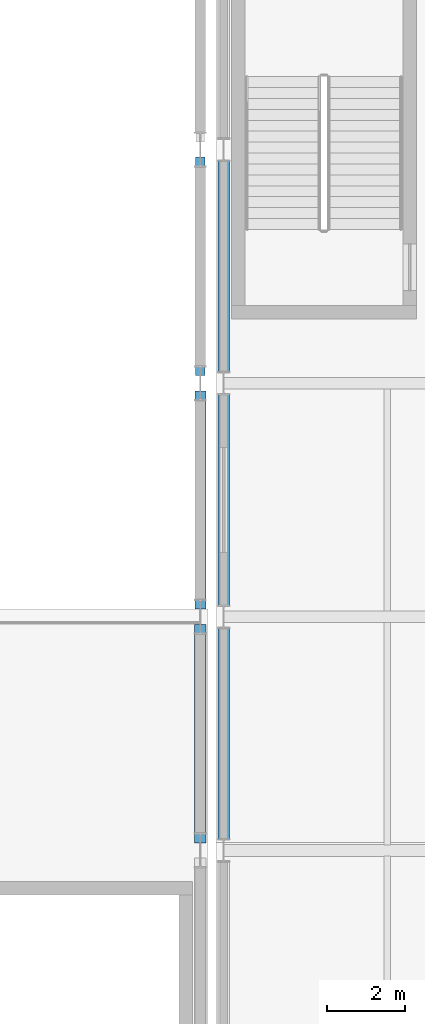
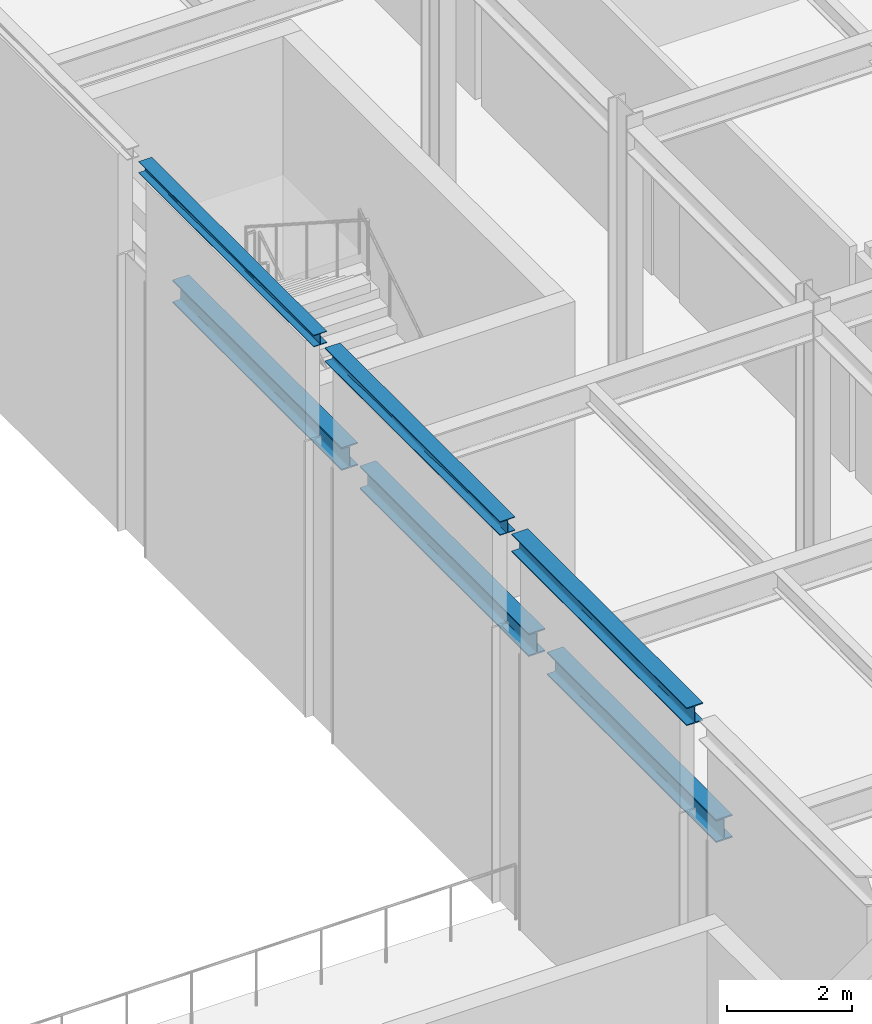
# One storey, part 74 of 210: 6 beams.
"""IFC4 building model written with IfcOpenShell, lengths in metres."""

from ifc_helpers import new_model, si_unit, direction, frame, origin, origin_2d, place, context, subcontext, project, spatial, i_section, extrude, material, material_profile, profile_set, type_object, element, save


model = new_model("IFC4")

# Units and contexts
model_context = context("Model", 3, precision=1e-05, world=origin(), true_north=direction((0.0, 1.0)))
body_context = subcontext(model_context, "Body", "Model", "MODEL_VIEW")
ifc_project = project(units=[si_unit("LENGTHUNIT", "METRE"), si_unit("AREAUNIT", "SQUARE_METRE"), si_unit("VOLUMEUNIT", "CUBIC_METRE"), si_unit("PLANEANGLEUNIT", "RADIAN"), si_unit("MASSUNIT", "GRAM", prefix="KILO")], contexts=[model_context])

# Site, building, storey
site_placement = place(None, origin())
site = spatial("IfcSite", under=ifc_project, at=site_placement, CompositionType="ELEMENT")
building_placement = place(site_placement, origin())
building = spatial("IfcBuilding", under=site, at=building_placement, Name="Kaldris Quays Convention Centre", CompositionType="ELEMENT")
storey_placement = place(building_placement, frame((0.0, 0.0, 6.0)))
storey = spatial("IfcBuildingStorey", under=building, at=storey_placement, Name="L01", CompositionType="ELEMENT", Elevation=6.0)

# Beams
ifc_material = material(Name="Steel S355J2", Category="steel")
ifc_material_profile_1 = material_profile(ifc_material, i_section(OverallWidth=0.300048828125, OverallDepth=0.449951171875, WebThickness=0.013916015625, FlangeThickness=0.02587890625, FilletRadius=0.027099609375, at=origin_2d()), Name="HEB 450")
ifc_profile_set_1 = profile_set([ifc_material_profile_1], Name="Steel S355J2")
beam_type_1 = type_object("IfcBeamType", Name="STRUCTURAL BEAM BM07", PredefinedType="BEAM", material=ifc_profile_set_1)
for number, where, z_axis, x_axis, name in (
    (1, (146.60009765625, 62.2939453125, 4.91796875), (0.0, 1.0, 0.0), (-1.0, 0.0, 0.0), "L01 Girder BM07 69"),
    (2, (146.60009765625, 68.2939453125, 4.91796875), (0.0, 1.0, 0.0), (-1.0, 0.0, 0.0), "L01 Girder BM07 70"),
    (3, (146.60009765625, 74.2939453125, 4.91796875), (0.0, 1.0, 0.0), (-1.0, 0.0, 0.0), "L01 Girder BM07 71"),
):
    element("IfcBeam", number, at=place(storey_placement, frame(where, z_axis=z_axis, x_axis=x_axis)), inside=storey, type_object=beam_type_1, Name=name, PredefinedType="BEAM", context=body_context, shape_type="SweptSolid", body=[
        extrude(i_section(OverallWidth=0.300048828125, OverallDepth=0.449951171875, WebThickness=0.013916015625, FlangeThickness=0.02587890625, FilletRadius=0.027099609375, at=origin_2d()), origin(), (0.0, 0.0, 1.0), 5.412109375),
    ])
ifc_material_profile_2 = material_profile(ifc_material, i_section(OverallWidth=0.300048828125, OverallDepth=0.35009765625, WebThickness=0.010009765625, FlangeThickness=0.017578125, FilletRadius=0.027099609375, at=origin_2d()), Name="HEA 360")
ifc_profile_set_2 = profile_set([ifc_material_profile_2], Name="Steel S355J2")
beam_type_2 = type_object("IfcBeamType", Name="STRUCTURAL BEAM SP02", PredefinedType="SPANDREL", material=ifc_profile_set_2)
beam_1_placement = place(storey_placement, frame((146.0, 62.195068359375, 7.425048828125), z_axis=(0.0, 1.0, 0.0), x_axis=(-1.0, 0.0, 0.0)))
element("IfcBeam", 4, at=beam_1_placement, inside=storey, type_object=beam_type_2, Name="L01 Perimeter Wall-Bearing Spandrel SP02 56", PredefinedType="SPANDREL", context=body_context, shape_type="SweptSolid", body=[
    extrude(i_section(OverallWidth=0.300048828125, OverallDepth=0.35009765625, WebThickness=0.010009765625, FlangeThickness=0.017578125, FilletRadius=0.027099609375, at=origin_2d()), origin(), (0.0, 0.0, 1.0), 5.60986328125),
])
ifc_material_profile_3 = material_profile(ifc_material, i_section(OverallWidth=0.280029296875, OverallDepth=0.27001953125, WebThickness=0.008056640625, FlangeThickness=0.012939453125, FilletRadius=0.02392578125, at=origin_2d()), Name="HEA 280")
ifc_profile_set_3 = profile_set([ifc_material_profile_3], Name="Steel S355J2")
beam_type_3 = type_object("IfcBeamType", Name="STRUCTURAL BEAM SP03", PredefinedType="SPANDREL", material=ifc_profile_set_3)
beam_2_placement = place(storey_placement, frame((146.0, 68.195068359375, 7.465087890625), z_axis=(0.0, 1.0, 0.0), x_axis=(-1.0, 0.0, 0.0)))
element("IfcBeam", 5, at=beam_2_placement, inside=storey, type_object=beam_type_3, Name="L01 Perimeter Wall-Bearing Spandrel SP03 57", PredefinedType="SPANDREL", context=body_context, shape_type="SweptSolid", body=[
    extrude(i_section(OverallWidth=0.280029296875, OverallDepth=0.27001953125, WebThickness=0.008056640625, FlangeThickness=0.012939453125, FilletRadius=0.02392578125, at=origin_2d()), origin(), (0.0, 0.0, 1.0), 5.60986328125),
])
ifc_material_profile_4 = material_profile(ifc_material, i_section(OverallWidth=0.239990234375, OverallDepth=0.22998046875, WebThickness=0.007568359375, FlangeThickness=0.011962890625, FilletRadius=0.02099609375, at=origin_2d()), Name="HEA 240")
ifc_profile_set_4 = profile_set([ifc_material_profile_4], Name="Steel S355J2")
beam_type_4 = type_object("IfcBeamType", Name="STRUCTURAL BEAM SP04", PredefinedType="SPANDREL", material=ifc_profile_set_4)
beam_3_placement = place(storey_placement, frame((146.0, 74.195068359375, 7.485107421875), z_axis=(0.0, 1.0, 0.0), x_axis=(-1.0, 0.0, 0.0)))
element("IfcBeam", 6, at=beam_3_placement, inside=storey, type_object=beam_type_4, Name="L01 Perimeter Wall-Bearing Spandrel SP04 58", PredefinedType="SPANDREL", context=body_context, shape_type="SweptSolid", body=[
    extrude(i_section(OverallWidth=0.239990234375, OverallDepth=0.22998046875, WebThickness=0.007568359375, FlangeThickness=0.011962890625, FilletRadius=0.02099609375, at=origin_2d()), origin(), (0.0, 0.0, 1.0), 5.60986328125),
])

save(model, "model.ifc")
